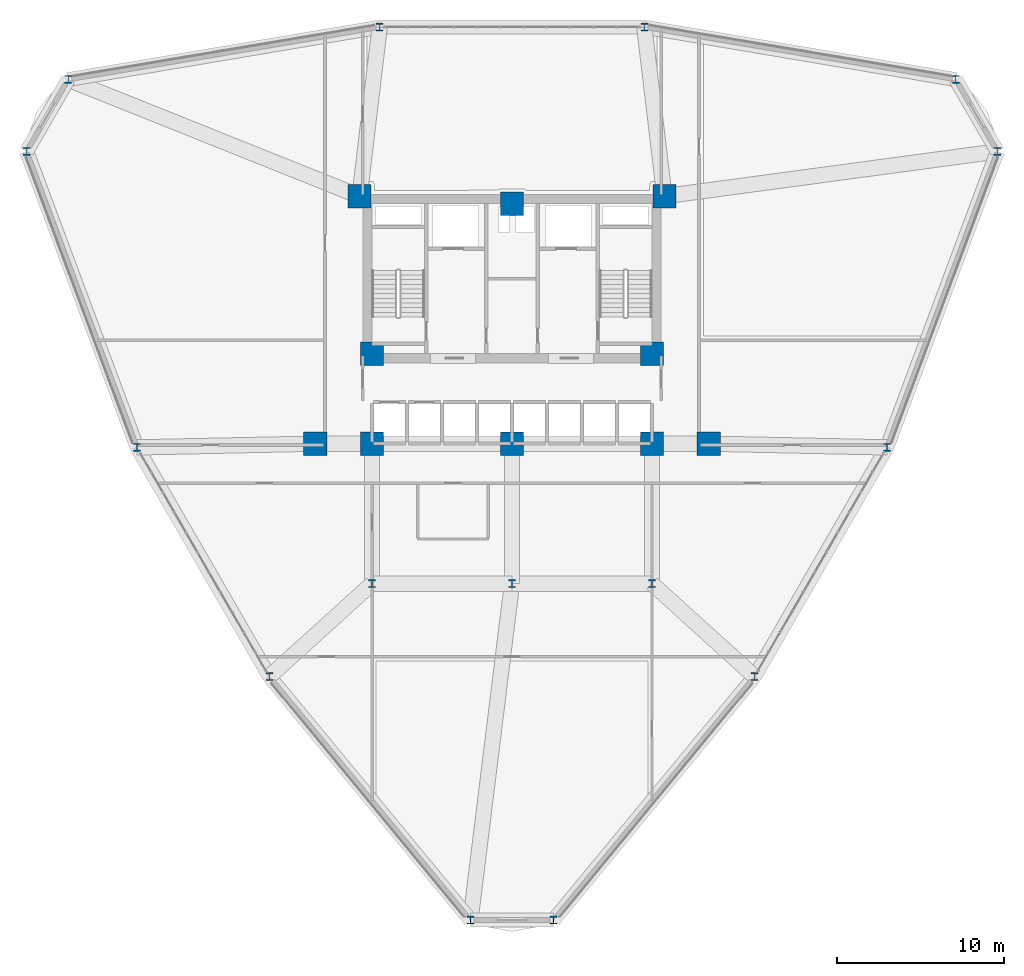
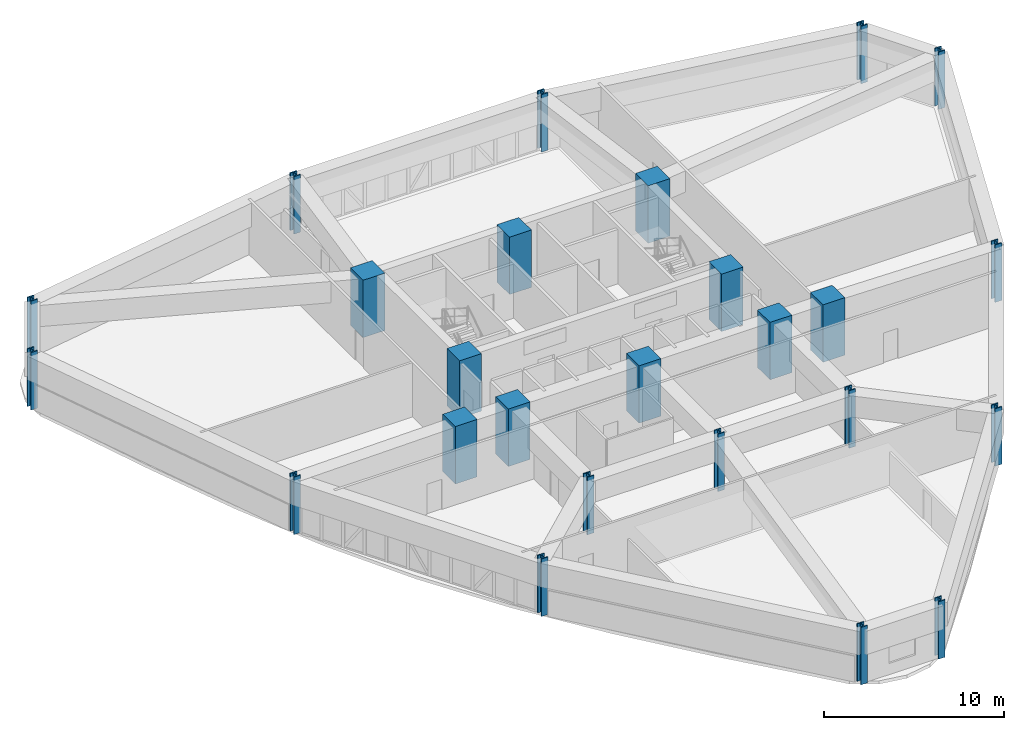
# One storey, part 1 of 20: 25 columns.
"""IFC4 building model written with IfcOpenShell, lengths in metres."""

from ifc_helpers import new_model, si_unit, derived_unit, direction, frame, origin, origin_2d, place, context, subcontext, project, spatial, rectangle, i_section, extrude, source, transform, mapped, material, material_profile, profile_set, type_object, element, save


model = new_model("IFC4")

# Units and contexts
model_context = context("Model", 3, precision=1e-05, world=origin(), true_north=direction((0.0, 1.0)))
body_context = subcontext(model_context, "Body", "Model", "MODEL_VIEW")
ifc_project = project(units=[si_unit("LENGTHUNIT", "METRE"), si_unit("AREAUNIT", "SQUARE_METRE"), si_unit("VOLUMEUNIT", "CUBIC_METRE"), si_unit("PLANEANGLEUNIT", "RADIAN"), si_unit("MASSUNIT", "GRAM", prefix="KILO"), derived_unit("THERMALTRANSMITTANCEUNIT", [(si_unit("POWERUNIT", "WATT"), 1), (si_unit("LENGTHUNIT", "METRE"), -2), (si_unit("THERMODYNAMICTEMPERATUREUNIT", "KELVIN"), -1)])], contexts=[model_context])

# Site, building, storey
site_placement = place(None, origin())
site = spatial("IfcSite", under=ifc_project, at=site_placement, CompositionType="ELEMENT")
building_placement = place(site_placement, origin())
building = spatial("IfcBuilding", under=site, at=building_placement, Name="Korsvarv Bourse and Concert Hall", CompositionType="ELEMENT")
storey_placement = place(building_placement, frame((0.0, 0.0, 39.60009765625)))
storey = spatial("IfcBuildingStorey", under=building, at=storey_placement, Name="L09", CompositionType="ELEMENT", Elevation=39.60009765625)

# Columns
ifc_material_1 = material(Name="Concrete C60/75", Category="concrete")
ifc_material_profile_1 = material_profile(ifc_material_1, rectangle(XDim=1.39990234375, YDim=1.39990234375, at=origin_2d()), Name="RC 1400x1400")
ifc_profile_set_1 = profile_set([ifc_material_profile_1], Name="Concrete C60/75")
column_type_1 = type_object("IfcColumnType", Name="COL-RC1400", PredefinedType="COLUMN", material=ifc_profile_set_1)
shared_shape_1 = source(origin(), body_context, "Body", "SweptSolid", [
    extrude(rectangle(XDim=1.39990234375, YDim=1.39990234375, at=origin_2d()), origin(), (0.0, 0.0, 1.0), 3.89990234375),
])
for number, where, z_axis, x_axis, name in (
    (1, (26.85009765625, 47.25, 0.0), (0.0, 0.0, 1.0), (1.0, 0.0, 0.0), "L09 column C-01"),
    (2, (45.14990234375, 47.25, 0.0), (0.0, 0.0, 1.0), (1.0, 0.0, 0.0), "L09 column C-01"),
    (3, (27.60009765625, 37.800048828125, 0.0), (0.0, 0.0, 1.0), (1.0, 0.0, 0.0), "L09 column C-01"),
    (4, (44.39990234375, 37.800048828125, 0.0), (0.0, 0.0, 1.0), (1.0, 0.0, 0.0), "L09 column C-01"),
    (5, (27.60009765625, 32.39990234375, 0.0), (0.0, 0.0, 1.0), (1.0, 0.0, 0.0), "L09 column C-01"),
    (6, (44.39990234375, 32.39990234375, 0.0), (0.0, 0.0, 1.0), (1.0, 0.0, 0.0), "L09 column C-01"),
    (7, (36.0, 46.800048828125, 0.0), (0.0, 0.0, 1.0), (1.0, 0.0, 0.0), "L09 column C-01"),
    (8, (36.0, 32.39990234375, 0.0), (0.0, 0.0, 1.0), (1.0, 0.0, 0.0), "L09 column C-01"),
    (9, (24.199951171875, 32.39990234375, 0.0), (0.0, 0.0, 1.0), (1.0, 0.0, 0.0), "L09 column C-01"),
    (10, (47.800048828125, 32.39990234375, 0.0), (0.0, 0.0, 1.0), (1.0, 0.0, 0.0), "L09 column C-01"),
):
    element("IfcColumn", number, at=place(storey_placement, frame(where, z_axis=z_axis, x_axis=x_axis)), inside=storey, type_object=column_type_1, Name=name, PredefinedType="COLUMN", context=body_context, shape_type="MappedRepresentation", body=[
        mapped(shared_shape_1, transform((0.0, 0.0, 0.0), scale=1.0)),
    ])
ifc_material_2 = material(Name="Steel S460", Category="steel")
ifc_material_profile_2 = material_profile(ifc_material_2, i_section(OverallWidth=0.424072265625, OverallDepth=0.47412109375, WebThickness=0.044921875, FlangeThickness=0.072021484375, FilletRadius=0.014892578125, at=origin_2d()), Name="HD 400x634")
ifc_profile_set_2 = profile_set([ifc_material_profile_2], Name="Steel S460")
column_type_2 = type_object("IfcColumnType", Name="COL-HD634", PredefinedType="COLUMN", material=ifc_profile_set_2)
shared_shape_2 = source(origin(), body_context, "Body", "SweptSolid", [
    extrude(i_section(OverallWidth=0.424072265625, OverallDepth=0.47412109375, WebThickness=0.044921875, FlangeThickness=0.072021484375, FilletRadius=0.014892578125, at=origin_2d()), origin(), (0.0, 0.0, 1.0), 3.89990234375),
])
for number, where, z_axis, x_axis, name in (
    (11, (27.60009765625, 24.0, 0.0), (0.0, 0.0, 1.0), (1.0, 0.0, 0.0), "L09 column C-07"),
    (12, (44.39990234375, 24.0, 0.0), (0.0, 0.0, 1.0), (1.0, 0.0, 0.0), "L09 column C-07"),
    (13, (36.0, 24.0, 0.0), (0.0, 0.0, 1.0), (1.0, 0.0, 0.0), "L09 column C-07"),
    (14, (65.1298828125, 49.939697265625, 0.0), (0.0, 0.0, 1.0), (1.0, 0.0, 0.0), "L09 column C-07"),
    (15, (62.63720703125, 54.25732421875, 0.0), (0.0, 0.0, 1.0), (1.0, 0.0, 0.0), "L09 column C-07"),
    (16, (43.941162109375, 57.401611328125, 0.0), (0.0, 0.0, 1.0), (1.0, 0.0, 0.0), "L09 column C-07"),
    (17, (28.058837890625, 57.401611328125, 0.0), (0.0, 0.0, 1.0), (1.0, 0.0, 0.0), "L09 column C-07"),
    (18, (9.36279296875, 54.25732421875, 0.0), (0.0, 0.0, 1.0), (1.0, 0.0, 0.0), "L09 column C-07"),
    (19, (6.8701171875, 49.939697265625, 0.0), (0.0, 0.0, 1.0), (1.0, 0.0, 0.0), "L09 column C-07"),
    (20, (13.4951171875, 32.176513671875, 0.0), (0.0, 0.0, 1.0), (1.0, 0.0, 0.0), "L09 column C-07"),
    (21, (21.436279296875, 18.422119140625, 0.0), (0.0, 0.0, 1.0), (1.0, 0.0, 0.0), "L09 column C-07"),
    (22, (33.507080078125, 3.802978515625, 0.0), (0.0, 0.0, 1.0), (1.0, 0.0, 0.0), "L09 column C-07"),
    (23, (38.492919921875, 3.802978515625, 0.0), (0.0, 0.0, 1.0), (1.0, 0.0, 0.0), "L09 column C-07"),
    (24, (50.563720703125, 18.422119140625, 0.0), (0.0, 0.0, 1.0), (1.0, 0.0, 0.0), "L09 column C-07"),
    (25, (58.5048828125, 32.176513671875, 0.0), (0.0, 0.0, 1.0), (1.0, 0.0, 0.0), "L09 column C-07"),
):
    element("IfcColumn", number, at=place(storey_placement, frame(where, z_axis=z_axis, x_axis=x_axis)), inside=storey, type_object=column_type_2, Name=name, PredefinedType="COLUMN", context=body_context, shape_type="MappedRepresentation", body=[
        mapped(shared_shape_2, transform((0.0, 0.0, 0.0), scale=1.0)),
    ])

save(model, "model.ifc")
